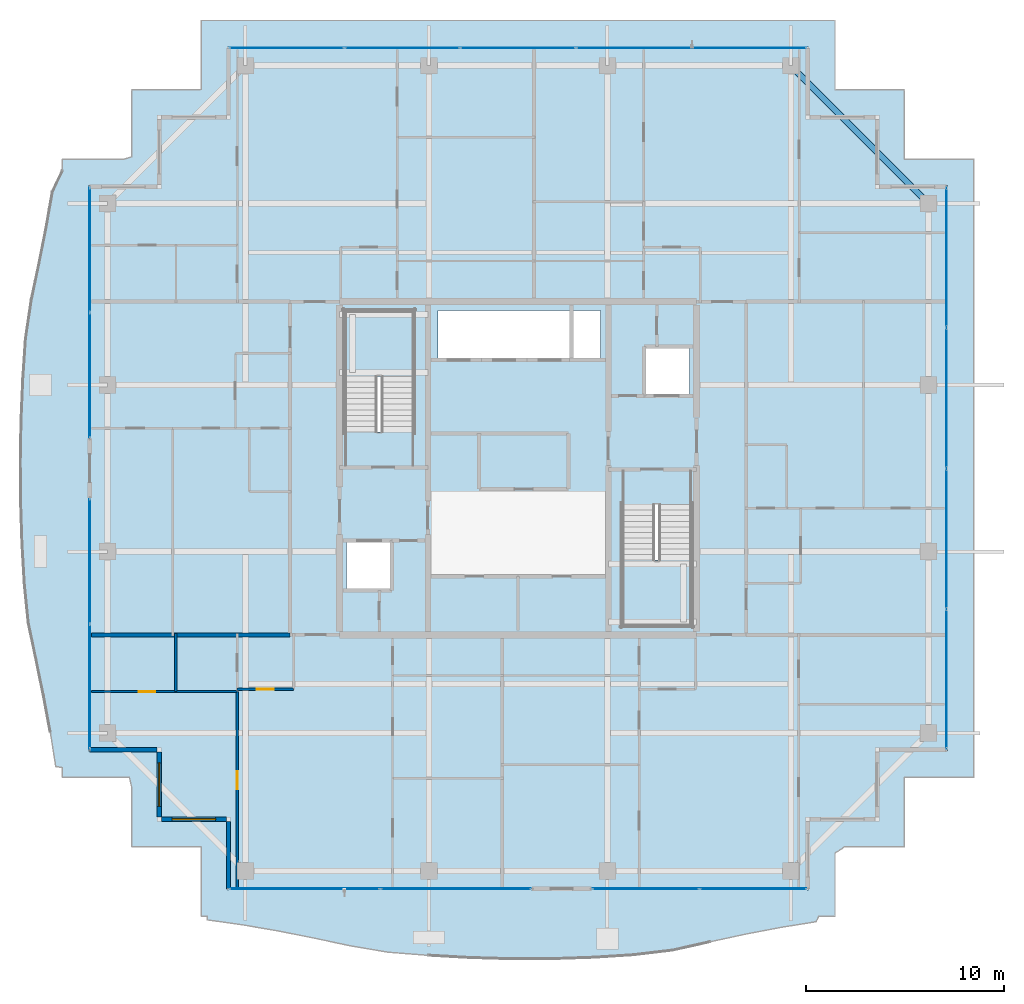
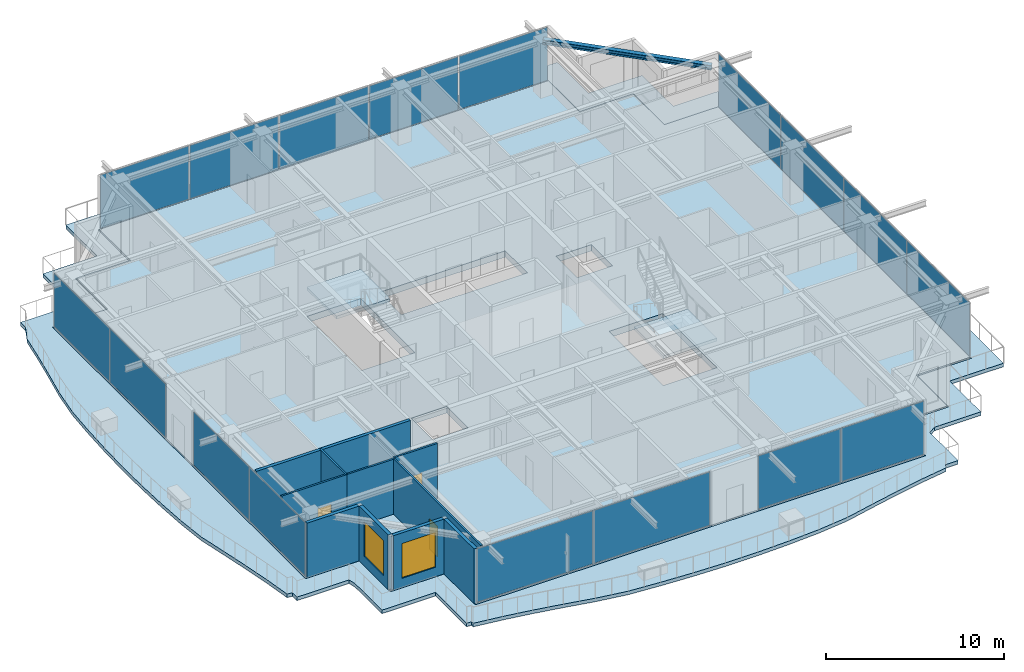
# One storey, part 24 of 36: 17 plates, 10 walls, 4 slabs, 3 doors, 2 windows, 1 beam, 5 openings, 8 elements without a shape of their own.
"""IFC4 building model written with IfcOpenShell, lengths in metres."""

from ifc_helpers import new_model, si_unit, direction, frame, frame_2d, origin, origin_2d, place, context, subcontext, project, spatial, polyline, rectangle, i_section, outline, extrude, source, transform, mapped, material, layer, layer_set, material_profile, profile_set, type_object, element, fill, aggregate, save


model = new_model("IFC4")

# Units and contexts
model_context = context("Model", 3, precision=1e-05, world=origin(), true_north=direction((0.0, 1.0)))
body_context = subcontext(model_context, "Body", "Model", "MODEL_VIEW")
ifc_project = project(units=[si_unit("LENGTHUNIT", "METRE"), si_unit("AREAUNIT", "SQUARE_METRE"), si_unit("VOLUMEUNIT", "CUBIC_METRE"), si_unit("PLANEANGLEUNIT", "RADIAN"), si_unit("MASSUNIT", "GRAM", prefix="KILO")], contexts=[model_context])

# Site, building, storey
site_placement = place(None, origin())
site = spatial("IfcSite", under=ifc_project, at=site_placement, CompositionType="ELEMENT")
building_placement = place(site_placement, origin())
building = spatial("IfcBuilding", under=site, at=building_placement, Name="Serunith Strait Residences", CompositionType="ELEMENT")
storey_placement = place(building_placement, frame((0.0, 0.0, 338.0)))
storey = spatial("IfcBuildingStorey", under=building, at=storey_placement, Name="L84", CompositionType="ELEMENT", Elevation=338.0)

# Beam
ifc_material_1 = material(Name="Steel S355J2", Category="steel")
ifc_material_profile = material_profile(ifc_material_1, i_section(OverallWidth=0.300048828125, OverallDepth=0.320068359375, WebThickness=0.011474609375, FlangeThickness=0.0205078125, FilletRadius=0.027099609375, at=origin_2d()), Name="HEB 320")
ifc_profile_set = profile_set([ifc_material_profile], Name="Steel S355J2")
beam_type = type_object("IfcBeamType", Name="BM-HEB320", PredefinedType="BEAM", material=ifc_profile_set)
shared_shape_1 = source(origin(), body_context, "Body", "SweptSolid", [
    extrude(i_section(OverallWidth=0.300048828125, OverallDepth=0.320068359375, WebThickness=0.011474609375, FlangeThickness=0.0205078125, FilletRadius=0.027099609375, at=origin_2d()), origin(), (0.0, 0.0, 1.0), 9.828857421875),
])
beam_placement = place(storey_placement, frame((53.10009765625, 38.550048828125, 3.596923828125), z_axis=(-0.707119200622, 0.707094361533, 0.0), x_axis=(-0.707094361533, -0.707119200622, 0.0)))
element("IfcBeam", 1, at=beam_placement, inside=storey, type_object=beam_type, Name="L84 Perimeter Ring Beam 08", PredefinedType="BEAM", context=body_context, shape_type="MappedRepresentation", body=[
    mapped(shared_shape_1, transform((0.0, 0.0, 0.0), scale=1.0)),
])

# Slab
ifc_material_2 = material(Name="Concrete C50/60", Category="concrete")
ifc_layer_1 = layer(ifc_material_2, 0.239990234375, Name="Concrete C50/60")
ifc_layer_set_1 = layer_set([ifc_layer_1], Name="Concrete C50/60")
slab_type_1 = type_object("IfcSlabType", Name="SLB-BALC-240", PredefinedType="FLOOR", material=ifc_layer_set_1)
slab_1_placement = place(storey_placement, frame((0.0, 0.0, -0.2900390625)))
element("IfcSlab", 2, at=slab_1_placement, inside=storey, type_object=slab_type_1, Name="L84 Planted Vertical-Forest Balcony Slab", PredefinedType="FLOOR", context=body_context, shape_type="SweptSolid", body=[
    extrude(outline(polyline([(16.419921875, 2.6201171875), (16.419921875, 6.1201171875), (12.919921875, 6.1201171875), (12.919921875, 9.12255859375), (12.7998046875, 9.6201171875), (9.419921875, 9.6201171875), (9.419921875, 10.113525390625), (9.088134765625, 10.162353515625), (8.808837890625, 11.929931640625), (8.476318359375, 13.718017578125), (8.101318359375, 15.544189453125), (7.70751953125, 17.426513671875), (7.507568359375, 19.418701171875), (7.39208984375, 21.45654296875), (7.324462890625, 23.5166015625), (7.30908203125, 25.587158203125), (7.346923828125, 27.655029296875), (7.43505859375, 29.70751953125), (7.5673828125, 31.73388671875), (7.860107421875, 33.682861328125), (8.249267578125, 35.542236328125), (8.609130859375, 37.352294921875), (8.9208984375, 39.131591796875), (9.419921875, 40.195068359375), (9.419921875, 40.780029296875), (12.507568359375, 40.780029296875), (12.919921875, 40.90380859375), (12.919921875, 44.280029296875), (16.36767578125, 44.280029296875), (16.419921875, 44.307373046875), (16.419921875, 47.780029296875), (48.3798828125, 47.780029296875), (48.3798828125, 44.280029296875), (51.8798828125, 44.280029296875), (51.8798828125, 40.780029296875), (55.3798828125, 40.780029296875), (55.3798828125, 9.6201171875), (51.8798828125, 9.6201171875), (51.8798828125, 6.1201171875), (48.868408203125, 6.1201171875), (48.3798828125, 5.800537109375), (48.3798828125, 2.6201171875), (47.564208984375, 2.6201171875), (47.42529296875, 2.338623046875), (45.66357421875, 2.056884765625), (43.884033203125, 1.715087890625), (42.067626953125, 1.321533203125), (40.19384765625, 0.901611328125), (38.2060546875, 0.664306640625), (36.16162109375, 0.535400390625), (34.091552734375, 0.46728515625), (32.010986328125, 0.465087890625), (29.9365234375, 0.5263671875), (27.88232421875, 0.642333984375), (25.85888671875, 0.80029296875), (23.92138671875, 1.126708984375), (22.0693359375, 1.5234375), (20.263916015625, 1.881103515625), (18.486083984375, 2.184814453125), (16.720703125, 2.4326171875), (16.72216796875, 2.6201171875), (16.419921875, 2.6201171875)]), holes=[polyline([(47.054931640625, 3.945068359375), (47.054931640625, 7.445068359375), (50.554931640625, 7.445068359375), (50.554931640625, 10.945068359375), (54.054931640625, 10.945068359375), (54.054931640625, 39.455078125), (50.554931640625, 39.455078125), (50.554931640625, 42.955078125), (47.054931640625, 42.955078125), (47.054931640625, 46.455078125), (17.7451171875, 46.455078125), (17.7451171875, 42.955078125), (14.2451171875, 42.955078125), (14.2451171875, 39.455078125), (10.7451171875, 39.455078125), (10.7451171875, 10.945068359375), (14.2451171875, 10.945068359375), (14.2451171875, 7.445068359375), (17.7451171875, 7.445068359375), (17.7451171875, 3.945068359375), (47.054931640625, 3.945068359375)])]), origin(), (0.0, 0.0, 1.0), 0.239990234375),
])

# Stair, slab
stair_type_1 = type_object("IfcStairType", Name="STR-CORE-1", PredefinedType="HALF_TURN_STAIR", material=ifc_material_2)
stair_1_placement = place(storey_placement, origin())
stair_1 = element("IfcStair", 3, at=stair_1_placement, inside=storey, type_object=stair_type_1, Name="L84 Protected Escape Stair ST-1", PredefinedType="HALF_TURN_STAIR")
ifc_layer_2 = layer(ifc_material_2, 0.199951171875, Name="Concrete C50/60")
ifc_layer_set_2 = layer_set([ifc_layer_2], Name="Concrete C50/60")
slab_type_2 = type_object("IfcSlabType", Name="SLB-LAND-200", PredefinedType="LANDING", material=ifc_layer_set_2)
slab_2_placement = place(storey_placement, frame((0.0, 0.0, 1.824951171875)))
slab_2 = element("IfcSlab", 4, at=slab_2_placement, type_object=slab_type_2, Name="ST-1 landing 1", PredefinedType="LANDING", context=body_context, shape_type="SweptSolid", body=[
    extrude(outline(polyline([(27.14990234375, 29.830078125), (27.14990234375, 33.14990234375), (23.64990234375, 33.14990234375), (23.64990234375, 29.830078125), (27.14990234375, 29.830078125)])), origin(), (0.0, 0.0, 1.0), 0.199951171875),
])
aggregate(stair_1, [slab_2])

stair_type_2 = type_object("IfcStairType", Name="STR-CORE-2", PredefinedType="HALF_TURN_STAIR", material=ifc_material_2)
stair_2_placement = place(storey_placement, origin())
stair_2 = element("IfcStair", 5, at=stair_2_placement, inside=storey, type_object=stair_type_2, Name="L84 Protected Escape Stair ST-2", PredefinedType="HALF_TURN_STAIR")
slab_3_placement = place(storey_placement, frame((0.0, 0.0, 1.824951171875)))
slab_3 = element("IfcSlab", 6, at=slab_3_placement, type_object=slab_type_2, Name="ST-2 landing 1", PredefinedType="LANDING", context=body_context, shape_type="SweptSolid", body=[
    extrude(outline(polyline([(37.64990234375, 20.570068359375), (37.64990234375, 17.25), (41.14990234375, 17.25), (41.14990234375, 20.570068359375), (37.64990234375, 20.570068359375)])), origin(), (0.0, 0.0, 1.0), 0.199951171875),
])
aggregate(stair_2, [slab_3])

# Slab
ifc_material_3 = material(Name="Concrete C70/85", Category="concrete")
ifc_layer_3 = layer(ifc_material_3, 0.43994140625, Name="Concrete C70/85")
ifc_layer_set_3 = layer_set([ifc_layer_3], Name="Concrete C70/85")
slab_type_3 = type_object("IfcSlabType", Name="SLB-SETB-440", PredefinedType="FLOOR", material=ifc_layer_set_3)
slab_4_placement = place(storey_placement, frame((0.0, 0.0, -0.43994140625)))
element("IfcSlab", 7, at=slab_4_placement, inside=storey, type_object=slab_type_3, Name="L84 Structural Floor Plate", PredefinedType="FLOOR", context=body_context, shape_type="SweptSolid", body=[
    extrude(outline(polyline([(17.800048828125, 7.5), (14.300048828125, 7.5), (14.300048828125, 11.0), (10.800048828125, 11.0), (10.800048828125, 39.39990234375), (14.300048828125, 39.39990234375), (14.300048828125, 42.89990234375), (17.800048828125, 42.89990234375), (17.800048828125, 46.39990234375), (47.0, 46.39990234375), (47.0, 42.89990234375), (50.5, 42.89990234375), (50.5, 39.39990234375), (54.0, 39.39990234375), (54.0, 11.0), (50.5, 11.0), (50.5, 7.5), (47.0, 7.5), (47.0, 4.0), (17.800048828125, 4.0), (17.800048828125, 7.5)]), holes=[polyline([(41.14990234375, 23.3701171875), (37.64990234375, 23.3701171875), (37.64990234375, 17.25), (41.14990234375, 17.25), (41.14990234375, 23.3701171875)]), polyline([(38.75, 31.25), (38.75, 28.85009765625), (41.050048828125, 28.85009765625), (41.050048828125, 31.25), (38.75, 31.25)]), polyline([(36.550048828125, 33.14990234375), (28.35009765625, 33.14990234375), (28.35009765625, 30.64990234375), (36.550048828125, 30.64990234375), (36.550048828125, 33.14990234375)]), polyline([(23.64990234375, 33.14990234375), (23.64990234375, 27.030029296875), (27.14990234375, 27.030029296875), (27.14990234375, 33.14990234375), (23.64990234375, 33.14990234375)]), polyline([(23.75, 21.550048828125), (23.75, 19.14990234375), (26.050048828125, 19.14990234375), (26.050048828125, 21.550048828125), (23.75, 21.550048828125)])]), origin(), (0.0, 0.0, 1.0), 0.43994140625),
])

# Curtain wall, plates
ifc_material_4 = material(Name="Brushed Stainless-Silver Aluminium", Category="aluminium")
ifc_layer_4 = layer(ifc_material_4, 0.199951171875, Name="Brushed Stainless-Silver Aluminium")
ifc_layer_set_4 = layer_set([ifc_layer_4], Name="Brushed Stainless-Silver Aluminium")
curtain_wall_type = type_object("IfcCurtainWallType", Name="CW-SYS5", PredefinedType="NOTDEFINED", material=ifc_layer_set_4)
curtain_wall_1_placement = place(storey_placement, origin())
curtain_wall_1 = element("IfcCurtainWall", 8, at=curtain_wall_1_placement, inside=storey, type_object=curtain_wall_type, Name="L84 S Unitised Fritted Curtain Wall", PredefinedType="NOTDEFINED")
ifc_material_5 = material(Name="Triple-Silver Low-E Operable Glazing 34mm", Category="glass")
ifc_layer_5 = layer(ifc_material_5, 0.033935546875, Name="Triple-Silver Low-E Operable Glazing 34mm")
ifc_layer_set_5 = layer_set([ifc_layer_5], Name="Triple-Silver Low-E Operable Glazing 34mm")
plate_type = type_object("IfcPlateType", Name="CW-SYS5-PNL", PredefinedType="CURTAIN_PANEL", material=ifc_layer_set_5)
shared_shape_2 = source(origin(), body_context, "Body", "SweptSolid", [
    extrude(rectangle(XDim=7.552490234375, YDim=0.033935546875, at=origin_2d()), origin(), (0.0, 0.0, 1.0), 3.655029296875),
])
plate_1_placement = place(storey_placement, frame((21.641357421875, 4.0, 0.06005859375), z_axis=(0.0, 0.0, 1.0), x_axis=(1.0, 0.0, 0.0)))
plate_1 = element("IfcPlate", 9, at=plate_1_placement, type_object=plate_type, Name="CW-5 panel 1.1", PredefinedType="CURTAIN_PANEL", context=body_context, shape_type="MappedRepresentation", body=[
    mapped(shared_shape_2, transform((0.0, 0.0, 0.0), scale=1.0)),
])
plate_2_placement = place(storey_placement, frame((29.2587890625, 4.0, 0.06005859375), z_axis=(0.0, 0.0, 1.0), x_axis=(1.0, 0.0, 0.0)))
plate_2 = element("IfcPlate", 10, at=plate_2_placement, type_object=plate_type, Name="CW-5 panel 2.1", PredefinedType="CURTAIN_PANEL", context=body_context, shape_type="MappedRepresentation", body=[
    mapped(shared_shape_2, transform((0.0, 0.0, 0.0), scale=1.0)),
])
aggregate(curtain_wall_1, [plate_1, plate_2])

curtain_wall_2_placement = place(storey_placement, origin())
curtain_wall_2 = element("IfcCurtainWall", 11, at=curtain_wall_2_placement, inside=storey, type_object=curtain_wall_type, Name="L84 S Unitised Fritted Curtain Wall", PredefinedType="NOTDEFINED")
shared_shape_3 = source(origin(), body_context, "Body", "SweptSolid", [
    extrude(rectangle(XDim=5.3525390625, YDim=0.033935546875, at=origin_2d()), origin(), (0.0, 0.0, 1.0), 3.655029296875),
])
plate_3_placement = place(storey_placement, frame((38.84130859375, 4.0, 0.06005859375), z_axis=(0.0, 0.0, 1.0), x_axis=(1.0, 0.0, 0.0)))
plate_3 = element("IfcPlate", 12, at=plate_3_placement, type_object=plate_type, Name="CW-5 panel 1.1", PredefinedType="CURTAIN_PANEL", context=body_context, shape_type="MappedRepresentation", body=[
    mapped(shared_shape_3, transform((0.0, 0.0, 0.0), scale=1.0)),
])
plate_4_placement = place(storey_placement, frame((44.2587890625, 4.0, 0.06005859375), z_axis=(0.0, 0.0, 1.0), x_axis=(1.0, 0.0, 0.0)))
plate_4 = element("IfcPlate", 13, at=plate_4_placement, type_object=plate_type, Name="CW-5 panel 2.1", PredefinedType="CURTAIN_PANEL", context=body_context, shape_type="MappedRepresentation", body=[
    mapped(shared_shape_3, transform((0.0, 0.0, 0.0), scale=1.0)),
])
aggregate(curtain_wall_2, [plate_3, plate_4])

curtain_wall_3_placement = place(storey_placement, origin())
curtain_wall_3 = element("IfcCurtainWall", 14, at=curtain_wall_3_placement, inside=storey, type_object=curtain_wall_type, Name="L84 E Unitised Fritted Curtain Wall", PredefinedType="NOTDEFINED")
shared_shape_4 = source(origin(), body_context, "Body", "SweptSolid", [
    extrude(rectangle(XDim=7.00244140625, YDim=0.033935546875, at=origin_2d()), origin(), (0.0, 0.0, 1.0), 3.655029296875),
])
plate_5_placement = place(storey_placement, frame((54.0, 14.566162109375, 0.06005859375), z_axis=(0.0, 0.0, 1.0), x_axis=(0.0, 1.0, 0.0)))
plate_5 = element("IfcPlate", 15, at=plate_5_placement, type_object=plate_type, Name="CW-5 panel 1.1", PredefinedType="CURTAIN_PANEL", context=body_context, shape_type="MappedRepresentation", body=[
    mapped(shared_shape_4, transform((0.0, 0.0, 0.0), scale=1.0)),
])
plate_6_placement = place(storey_placement, frame((54.0, 35.833740234375, 0.06005859375), z_axis=(0.0, 0.0, 1.0), x_axis=(0.0, 1.0, 0.0)))
plate_6 = element("IfcPlate", 16, at=plate_6_placement, type_object=plate_type, Name="CW-5 panel 4.1", PredefinedType="CURTAIN_PANEL", context=body_context, shape_type="MappedRepresentation", body=[
    mapped(shared_shape_4, transform((0.0, 0.0, 0.0), scale=1.0)),
])
shared_shape_5 = source(origin(), body_context, "Body", "SweptSolid", [
    extrude(rectangle(XDim=7.034912109375, YDim=0.033935546875, at=origin_2d()), origin(), (0.0, 0.0, 1.0), 3.655029296875),
])
plate_7_placement = place(storey_placement, frame((54.0, 21.64990234375, 0.06005859375), z_axis=(0.0, 0.0, 1.0), x_axis=(0.0, 1.0, 0.0)))
plate_7 = element("IfcPlate", 17, at=plate_7_placement, type_object=plate_type, Name="CW-5 panel 2.1", PredefinedType="CURTAIN_PANEL", context=body_context, shape_type="MappedRepresentation", body=[
    mapped(shared_shape_5, transform((0.0, 0.0, 0.0), scale=1.0)),
])
plate_8_placement = place(storey_placement, frame((54.0, 28.75, 0.06005859375), z_axis=(0.0, 0.0, 1.0), x_axis=(0.0, 1.0, 0.0)))
plate_8 = element("IfcPlate", 18, at=plate_8_placement, type_object=plate_type, Name="CW-5 panel 3.1", PredefinedType="CURTAIN_PANEL", context=body_context, shape_type="MappedRepresentation", body=[
    mapped(shared_shape_5, transform((0.0, 0.0, 0.0), scale=1.0)),
])
aggregate(curtain_wall_3, [plate_5, plate_7, plate_8, plate_6])

curtain_wall_4_placement = place(storey_placement, origin())
curtain_wall_4 = element("IfcCurtainWall", 19, at=curtain_wall_4_placement, inside=storey, type_object=curtain_wall_type, Name="L84 N Unitised Fritted Curtain Wall", PredefinedType="NOTDEFINED")
shared_shape_6 = source(origin(), body_context, "Body", "SweptSolid", [
    extrude(rectangle(XDim=5.742431640625, YDim=0.033935546875, at=origin_2d()), origin(), (0.0, 0.0, 1.0), 3.655029296875),
])
plate_9_placement = place(storey_placement, frame((44.063720703125, 46.39990234375, 0.06005859375), z_axis=(0.0, 0.0, 1.0), x_axis=(-1.0, 0.0, 0.0)))
plate_9 = element("IfcPlate", 20, at=plate_9_placement, type_object=plate_type, Name="CW-5 panel 1.1", PredefinedType="CURTAIN_PANEL", context=body_context, shape_type="MappedRepresentation", body=[
    mapped(shared_shape_6, transform((0.0, 0.0, 0.0), scale=1.0)),
])
plate_10_placement = place(storey_placement, frame((20.736328125, 46.39990234375, 0.06005859375), z_axis=(0.0, 0.0, 1.0), x_axis=(-1.0, 0.0, 0.0)))
plate_10 = element("IfcPlate", 21, at=plate_10_placement, type_object=plate_type, Name="CW-5 panel 5.1", PredefinedType="CURTAIN_PANEL", context=body_context, shape_type="MappedRepresentation", body=[
    mapped(shared_shape_6, transform((0.0, 0.0, 0.0), scale=1.0)),
])
shared_shape_7 = source(origin(), body_context, "Body", "SweptSolid", [
    extrude(rectangle(XDim=5.77490234375, YDim=0.033935546875, at=origin_2d()), origin(), (0.0, 0.0, 1.0), 3.655029296875),
])
plate_11_placement = place(storey_placement, frame((38.239990234375, 46.39990234375, 0.06005859375), z_axis=(0.0, 0.0, 1.0), x_axis=(-1.0, 0.0, 0.0)))
plate_11 = element("IfcPlate", 22, at=plate_11_placement, type_object=plate_type, Name="CW-5 panel 2.1", PredefinedType="CURTAIN_PANEL", context=body_context, shape_type="MappedRepresentation", body=[
    mapped(shared_shape_7, transform((0.0, 0.0, 0.0), scale=1.0)),
])
plate_12_placement = place(storey_placement, frame((32.39990234375, 46.39990234375, 0.06005859375), z_axis=(0.0, 0.0, 1.0), x_axis=(-1.0, 0.0, 0.0)))
plate_12 = element("IfcPlate", 23, at=plate_12_placement, type_object=plate_type, Name="CW-5 panel 3.1", PredefinedType="CURTAIN_PANEL", context=body_context, shape_type="MappedRepresentation", body=[
    mapped(shared_shape_7, transform((0.0, 0.0, 0.0), scale=1.0)),
])
plate_13_placement = place(storey_placement, frame((26.56005859375, 46.39990234375, 0.06005859375), z_axis=(0.0, 0.0, 1.0), x_axis=(-1.0, 0.0, 0.0)))
plate_13 = element("IfcPlate", 24, at=plate_13_placement, type_object=plate_type, Name="CW-5 panel 4.1", PredefinedType="CURTAIN_PANEL", context=body_context, shape_type="MappedRepresentation", body=[
    mapped(shared_shape_7, transform((0.0, 0.0, 0.0), scale=1.0)),
])
aggregate(curtain_wall_4, [plate_9, plate_11, plate_12, plate_13, plate_10])

curtain_wall_5_placement = place(storey_placement, origin())
curtain_wall_5 = element("IfcCurtainWall", 25, at=curtain_wall_5_placement, inside=storey, type_object=curtain_wall_type, Name="L84 W Unitised Fritted Curtain Wall", PredefinedType="NOTDEFINED")
shared_shape_8 = source(origin(), body_context, "Body", "SweptSolid", [
    extrude(rectangle(XDim=6.25244140625, YDim=0.033935546875, at=origin_2d()), origin(), (0.0, 0.0, 1.0), 3.655029296875),
])
plate_14_placement = place(storey_placement, frame((10.800048828125, 36.208740234375, 0.06005859375), z_axis=(0.0, 0.0, 1.0), x_axis=(0.0, -1.0, 0.0)))
plate_14 = element("IfcPlate", 26, at=plate_14_placement, type_object=plate_type, Name="CW-5 panel 1.1", PredefinedType="CURTAIN_PANEL", context=body_context, shape_type="MappedRepresentation", body=[
    mapped(shared_shape_8, transform((0.0, 0.0, 0.0), scale=1.0)),
])
plate_15_placement = place(storey_placement, frame((10.800048828125, 29.891357421875, 0.06005859375), z_axis=(0.0, 0.0, 1.0), x_axis=(0.0, -1.0, 0.0)))
plate_15 = element("IfcPlate", 27, at=plate_15_placement, type_object=plate_type, Name="CW-5 panel 2.1", PredefinedType="CURTAIN_PANEL", context=body_context, shape_type="MappedRepresentation", body=[
    mapped(shared_shape_8, transform((0.0, 0.0, 0.0), scale=1.0)),
])
aggregate(curtain_wall_5, [plate_14, plate_15])

curtain_wall_6_placement = place(storey_placement, origin())
curtain_wall_6 = element("IfcCurtainWall", 28, at=curtain_wall_6_placement, inside=storey, type_object=curtain_wall_type, Name="L84 W Unitised Fritted Curtain Wall", PredefinedType="NOTDEFINED")
plate_16_placement = place(storey_placement, frame((10.800048828125, 20.5087890625, 0.06005859375), z_axis=(0.0, 0.0, 1.0), x_axis=(0.0, -1.0, 0.0)))
plate_16 = element("IfcPlate", 29, at=plate_16_placement, type_object=plate_type, Name="CW-5 panel 1.1", PredefinedType="CURTAIN_PANEL", context=body_context, shape_type="MappedRepresentation", body=[
    mapped(shared_shape_8, transform((0.0, 0.0, 0.0), scale=1.0)),
])
plate_17_placement = place(storey_placement, frame((10.800048828125, 14.191162109375, 0.06005859375), z_axis=(0.0, 0.0, 1.0), x_axis=(0.0, -1.0, 0.0)))
plate_17 = element("IfcPlate", 30, at=plate_17_placement, type_object=plate_type, Name="CW-5 panel 2.1", PredefinedType="CURTAIN_PANEL", context=body_context, shape_type="MappedRepresentation", body=[
    mapped(shared_shape_8, transform((0.0, 0.0, 0.0), scale=1.0)),
])
aggregate(curtain_wall_6, [plate_16, plate_17])

# Wall
ifc_material_6 = material(Name="Pale-Champagne Aluminium Insulated Panel", Category="aluminium")
ifc_layer_6 = layer(ifc_material_6, 0.219970703125, Name="Pale-Champagne Aluminium Insulated Panel")
ifc_layer_set_6 = layer_set([ifc_layer_6], Name="Pale-Champagne Aluminium Insulated Panel")
wall_type_1 = type_object("IfcWallType", Name="EW-ALUM-220", PredefinedType="ELEMENTEDWALL", material=ifc_layer_set_6)
wall_1_placement = place(storey_placement, frame((10.800048828125, 11.0, 0.0), z_axis=(0.0, 0.0, 1.0), x_axis=(1.0, 0.0, 0.0)))
element("IfcWall", 31, at=wall_1_placement, inside=storey, type_object=wall_type_1, Name="L84 Girih Serrated Corner Wall 17", PredefinedType="ELEMENTEDWALL", context=body_context, shape_type="SweptSolid", body=[
    extrude(rectangle(XDim=3.389892578125, YDim=0.219970703125, at=frame_2d((1.69482421875, 0.0))), origin(), (0.0, 0.0, 1.0), 3.77490234375),
])

# Wall, opening, window
wall_2_placement = place(storey_placement, frame((14.300048828125, 10.889892578125, 0.0), z_axis=(0.0, 0.0, 1.0), x_axis=(0.0, -1.0, 0.0)))
wall_2 = element("IfcWall", 32, at=wall_2_placement, inside=storey, type_object=wall_type_1, Name="L84 Girih Serrated Corner Wall 18", PredefinedType="ELEMENTEDWALL", context=body_context, shape_type="SweptSolid", body=[
    extrude(rectangle(XDim=3.27978515625, YDim=0.219970703125, at=frame_2d((1.639892578125, 0.0))), origin(), (0.0, 0.0, 1.0), 3.77490234375),
])
opening_1_placement = place(wall_2_placement, frame((0.5400390625, 0.0, 0.64990234375)))
opening_1 = element("IfcOpeningElement", 33, at=opening_1_placement, cuts=wall_2, Name="Opening W-06", PredefinedType="OPENING", context=body_context, shape_type="SweptSolid", body=[
    extrude(rectangle(XDim=2.199951171875, YDim=2.39990234375, at=frame_2d((1.10009765625, 1.199951171875))), frame((0.0, 0.1201171875, 0.0), z_axis=(0.0, -1.0, 0.0), x_axis=(1.0, 0.0, 0.0)), (0.0, 0.0, 1.0), 0.239990234375),
])
ifc_material_7 = material(Name="Crown Penthouse Low-E Operable Window Glass", Category="glass")
window_type = type_object("IfcWindowType", Name="WIN-C6", PartitioningType="TRIPLE_PANEL_VERTICAL", PredefinedType="WINDOW", material=ifc_material_7)
shared_shape_9 = source(origin(), body_context, "Body", "SweptSolid", [
    extrude(rectangle(XDim=2.199951171875, YDim=2.39990234375, at=frame_2d((1.10009765625, 1.199951171875))), frame((0.0, 0.030029296875, 0.0), z_axis=(0.0, -1.0, 0.0), x_axis=(1.0, 0.0, 0.0)), (0.0, 0.0, 1.0), 0.06005859375),
])
window_1_placement = place(opening_1_placement, origin())
window_1 = element("IfcWindow", 34, at=window_1_placement, inside=storey, type_object=window_type, Name="L84 Corner Operable Fritted Window 18", OverallHeight=2.39990234375, OverallWidth=2.199951171875, PartitioningType="SINGLE_PANEL", PredefinedType="WINDOW", context=body_context, shape_type="MappedRepresentation", body=[
    mapped(shared_shape_9, transform((0.0, 0.0, 0.0), scale=1.0)),
])
fill(opening_1, window_1)

wall_3_placement = place(storey_placement, frame((14.409912109375, 7.5, 0.0), z_axis=(0.0, 0.0, 1.0), x_axis=(1.0, 0.0, 0.0)))
wall_3 = element("IfcWall", 35, at=wall_3_placement, inside=storey, type_object=wall_type_1, Name="L84 Girih Serrated Corner Wall 19", PredefinedType="ELEMENTEDWALL", context=body_context, shape_type="SweptSolid", body=[
    extrude(rectangle(XDim=3.280029296875, YDim=0.219970703125, at=frame_2d((1.64013671875, 0.0))), origin(), (0.0, 0.0, 1.0), 3.77490234375),
])
opening_2_placement = place(wall_3_placement, frame((0.5400390625, 0.0, 0.64990234375)))
opening_2 = element("IfcOpeningElement", 36, at=opening_2_placement, cuts=wall_3, Name="Opening W-06", PredefinedType="OPENING", context=body_context, shape_type="SweptSolid", body=[
    extrude(rectangle(XDim=2.199951171875, YDim=2.39990234375, at=frame_2d((1.10009765625, 1.199951171875))), frame((0.0, 0.1201171875, 0.0), z_axis=(0.0, -1.0, 0.0), x_axis=(1.0, 0.0, 0.0)), (0.0, 0.0, 1.0), 0.239990234375),
])
window_2_placement = place(opening_2_placement, origin())
window_2 = element("IfcWindow", 37, at=window_2_placement, inside=storey, type_object=window_type, Name="L84 Corner Operable Fritted Window 19", OverallHeight=2.39990234375, OverallWidth=2.199951171875, PartitioningType="SINGLE_PANEL", PredefinedType="WINDOW", context=body_context, shape_type="MappedRepresentation", body=[
    mapped(shared_shape_9, transform((0.0, 0.0, 0.0), scale=1.0)),
])
fill(opening_2, window_2)

# Wall
wall_4_placement = place(storey_placement, frame((17.800048828125, 7.389892578125, 0.0), z_axis=(0.0, 0.0, 1.0), x_axis=(0.0, -1.0, 0.0)))
element("IfcWall", 38, at=wall_4_placement, inside=storey, type_object=wall_type_1, Name="L84 Girih Serrated Corner Wall 20", PredefinedType="ELEMENTEDWALL", context=body_context, shape_type="SweptSolid", body=[
    extrude(rectangle(XDim=3.389892578125, YDim=0.219970703125, at=frame_2d((1.69482421875, 0.0))), origin(), (0.0, 0.0, 1.0), 3.77490234375),
])

# Wall, opening, door
ifc_material_8 = material(Name="Lightweight steel-stud gypsum partition", Category="steel")
ifc_layer_7 = layer(ifc_material_8, 0.1201171875, Name="Lightweight steel-stud gypsum partition")
ifc_layer_set_7 = layer_set([ifc_layer_7], Name="Lightweight steel-stud gypsum partition")
wall_type_2 = type_object("IfcWallType", Name="IW-PART-120", PredefinedType="PARTITIONING", material=ifc_layer_set_7)
wall_5_placement = place(storey_placement, frame((18.22998046875, 14.050048828125, 0.0), z_axis=(0.0, 0.0, 1.0), x_axis=(1.0, 0.0, 0.0)))
wall_5 = element("IfcWall", 39, at=wall_5_placement, inside=storey, type_object=wall_type_2, Name="L84 Partition Wall 032", PredefinedType="PARTITIONING", context=body_context, shape_type="SweptSolid", body=[
    extrude(rectangle(XDim=2.85009765625, YDim=0.1201171875, at=frame_2d((1.425048828125, 0.0))), origin(), (0.0, 0.0, 1.0), 3.7900390625),
])
opening_3_placement = place(wall_5_placement, frame((1.0, 0.0, 0.0)))
opening_3 = element("IfcOpeningElement", 40, at=opening_3_placement, cuts=wall_5, Name="Opening D-RM850", PredefinedType="OPENING", context=body_context, shape_type="SweptSolid", body=[
    extrude(rectangle(XDim=0.85009765625, YDim=2.10009765625, at=frame_2d((0.425048828125, 1.050048828125))), frame((0.0, 0.070068359375, 0.0), z_axis=(0.0, -1.0, 0.0), x_axis=(1.0, 0.0, 0.0)), (0.0, 0.0, 1.0), 0.14013671875),
])
ifc_material_9 = material(Name="Engineered timber flush study and kitchen door", Category="wood")
door_type_1 = type_object("IfcDoorType", Name="ID-ROOM-850", OperationType="NOTDEFINED", PredefinedType="DOOR", material=ifc_material_9)
shared_shape_10 = source(origin(), body_context, "Body", "SweptSolid", [
    extrude(rectangle(XDim=0.85009765625, YDim=2.10009765625, at=frame_2d((0.425048828125, 1.050048828125))), frame((0.0, 0.02490234375, 0.0), z_axis=(0.0, -1.0, 0.0), x_axis=(1.0, 0.0, 0.0)), (0.0, 0.0, 1.0), 0.050048828125),
])
door_1_placement = place(opening_3_placement, origin())
door_1 = element("IfcDoor", 41, at=door_1_placement, inside=storey, type_object=door_type_1, Name="L84 Kitchen 8401 Door", OperationType="SINGLE_SWING_LEFT", OverallHeight=2.10009765625, OverallWidth=0.85009765625, PredefinedType="DOOR", context=body_context, shape_type="MappedRepresentation", body=[
    mapped(shared_shape_10, transform((0.0, 0.0, 0.0), scale=1.0)),
])
fill(opening_3, door_1)

wall_6_placement = place(storey_placement, frame((18.22998046875, 4.094970703125, 0.0), z_axis=(0.0, 0.0, 1.0), x_axis=(0.0, 1.0, 0.0)))
wall_6 = element("IfcWall", 42, at=wall_6_placement, inside=storey, type_object=wall_type_2, Name="L84 Partition Wall 034", PredefinedType="PARTITIONING", context=body_context, shape_type="SweptSolid", body=[
    extrude(rectangle(XDim=9.84912109375, YDim=0.1201171875, at=frame_2d((4.924560546875, 0.0))), origin(), (0.0, 0.0, 1.0), 3.7900390625),
])
opening_4_placement = place(wall_6_placement, frame((4.922119140625, 0.0, 0.0)))
opening_4 = element("IfcOpeningElement", 43, at=opening_4_placement, cuts=wall_6, Name="Opening D-RM900", PredefinedType="OPENING", context=body_context, shape_type="SweptSolid", body=[
    extrude(rectangle(XDim=0.89990234375, YDim=2.10009765625, at=frame_2d((0.449951171875, 1.050048828125))), frame((0.0, 0.070068359375, 0.0), z_axis=(0.0, -1.0, 0.0), x_axis=(1.0, 0.0, 0.0)), (0.0, 0.0, 1.0), 0.14013671875),
])
ifc_material_10 = material(Name="Engineered timber flush bedroom door", Category="wood")
door_type_2 = type_object("IfcDoorType", Name="ID-ROOM-900", OperationType="NOTDEFINED", PredefinedType="DOOR", material=ifc_material_10)
shared_shape_11 = source(origin(), body_context, "Body", "SweptSolid", [
    extrude(rectangle(XDim=0.89990234375, YDim=2.10009765625, at=frame_2d((0.449951171875, 1.050048828125))), frame((0.0, 0.02490234375, 0.0), z_axis=(0.0, -1.0, 0.0), x_axis=(1.0, 0.0, 0.0)), (0.0, 0.0, 1.0), 0.050048828125),
])
door_2_placement = place(opening_4_placement, origin())
door_2 = element("IfcDoor", 44, at=door_2_placement, inside=storey, type_object=door_type_2, Name="L84 Master Bedroom 1 8401 Door", OperationType="SINGLE_SWING_RIGHT", OverallHeight=2.10009765625, OverallWidth=0.89990234375, PredefinedType="DOOR", context=body_context, shape_type="MappedRepresentation", body=[
    mapped(shared_shape_11, transform((0.0, 0.0, 0.0), scale=1.0)),
])
fill(opening_4, door_2)

wall_7_placement = place(storey_placement, frame((10.89501953125, 13.944091796875, 0.0), z_axis=(0.0, 0.0, 1.0), x_axis=(1.0, 0.0, 0.0)))
wall_7 = element("IfcWall", 45, at=wall_7_placement, inside=storey, type_object=wall_type_2, Name="L84 Partition Wall 035", PredefinedType="PARTITIONING", context=body_context, shape_type="SweptSolid", body=[
    extrude(rectangle(XDim=4.23486328125, YDim=0.1201171875, at=frame_2d((2.117431640625, 0.0))), origin(), (0.0, 0.0, 1.0), 3.7900390625),
])
opening_5_placement = place(wall_7_placement, frame((2.3701171875, 0.0, 0.0)))
opening_5 = element("IfcOpeningElement", 46, at=opening_5_placement, cuts=wall_7, Name="Opening D-RM850", PredefinedType="OPENING", context=body_context, shape_type="SweptSolid", body=[
    extrude(rectangle(XDim=0.85009765625, YDim=2.10009765625, at=frame_2d((0.425048828125, 1.050048828125))), frame((0.0, 0.070068359375, 0.0), z_axis=(0.0, -1.0, 0.0), x_axis=(1.0, 0.0, 0.0)), (0.0, 0.0, 1.0), 0.14013671875),
])
door_3_placement = place(opening_5_placement, origin())
door_3 = element("IfcDoor", 47, at=door_3_placement, inside=storey, type_object=door_type_1, Name="L84 Wardrobe 8401 Door", OperationType="SINGLE_SWING_LEFT", OverallHeight=2.10009765625, OverallWidth=0.85009765625, PredefinedType="DOOR", context=body_context, shape_type="MappedRepresentation", body=[
    mapped(shared_shape_10, transform((0.0, 0.0, 0.0), scale=1.0)),
])
fill(opening_5, door_3)

# Walls
wall_8_placement = place(storey_placement, frame((15.132080078125, 13.944091796875, 0.0), z_axis=(0.0, 0.0, 1.0), x_axis=(1.0, 0.0, 0.0)))
element("IfcWall", 48, at=wall_8_placement, inside=storey, type_object=wall_type_2, Name="L84 Partition Wall 036", PredefinedType="PARTITIONING", context=body_context, shape_type="SweptSolid", body=[
    extrude(rectangle(XDim=3.097900390625, YDim=0.1201171875, at=frame_2d((1.548828125, 0.0))), origin(), (0.0, 0.0, 1.0), 3.7900390625),
])
wall_9_placement = place(storey_placement, frame((15.1298828125, 13.944091796875, 0.0), z_axis=(0.0, 0.0, 1.0), x_axis=(0.0, 1.0, 0.0)))
element("IfcWall", 49, at=wall_9_placement, inside=storey, type_object=wall_type_2, Name="L84 Partition Wall 037", PredefinedType="PARTITIONING", context=body_context, shape_type="SweptSolid", body=[
    extrude(rectangle(XDim=2.916015625, YDim=0.1201171875, at=frame_2d((1.4580078125, 0.0))), origin(), (0.0, 0.0, 1.0), 3.7900390625),
])
ifc_material_11 = material(Name="Twin-stud acoustic gypsum board partition")
ifc_layer_8 = layer(ifc_material_11, 0.199951171875, Name="Twin-stud acoustic gypsum board partition")
ifc_layer_set_8 = layer_set([ifc_layer_8], Name="Twin-stud acoustic gypsum board partition")
wall_type_3 = type_object("IfcWallType", Name="IW-PARTY-200", PredefinedType="PARTITIONING", material=ifc_layer_set_8)
wall_10_placement = place(storey_placement, frame((10.882080078125, 16.800048828125, 0.0), z_axis=(0.0, 0.0, 1.0), x_axis=(1.0, 0.0, 0.0)))
element("IfcWall", 50, at=wall_10_placement, inside=storey, type_object=wall_type_3, Name="L84 Partition Wall 022", PredefinedType="PARTITIONING", context=body_context, shape_type="SweptSolid", body=[
    extrude(rectangle(XDim=10.017822265625, YDim=0.199951171875, at=frame_2d((5.0087890625, 0.0))), origin(), (0.0, 0.0, 1.0), 3.7900390625),
])

save(model, "model.ifc")
